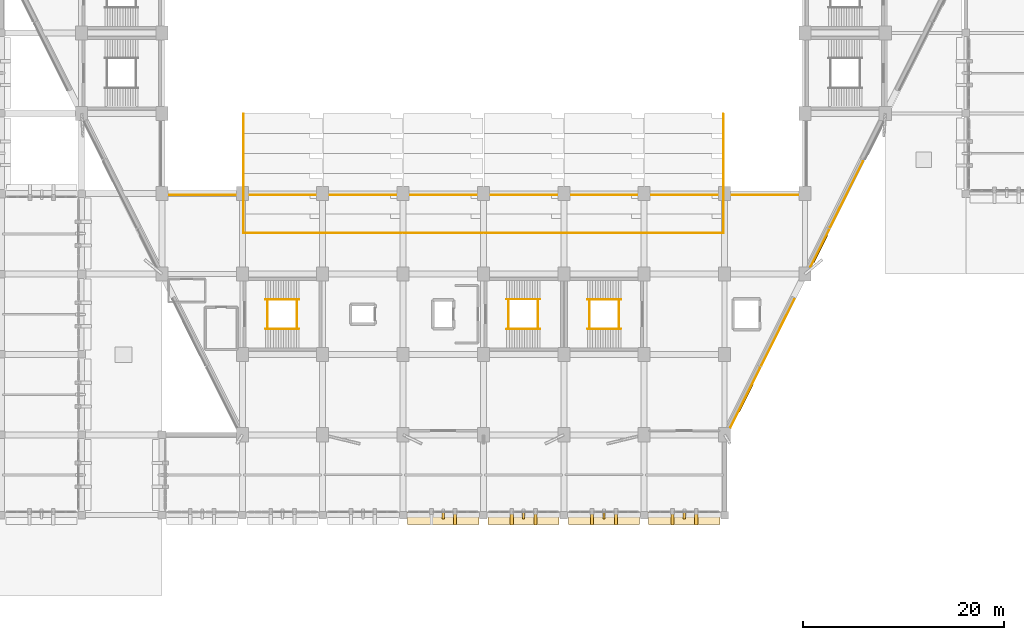
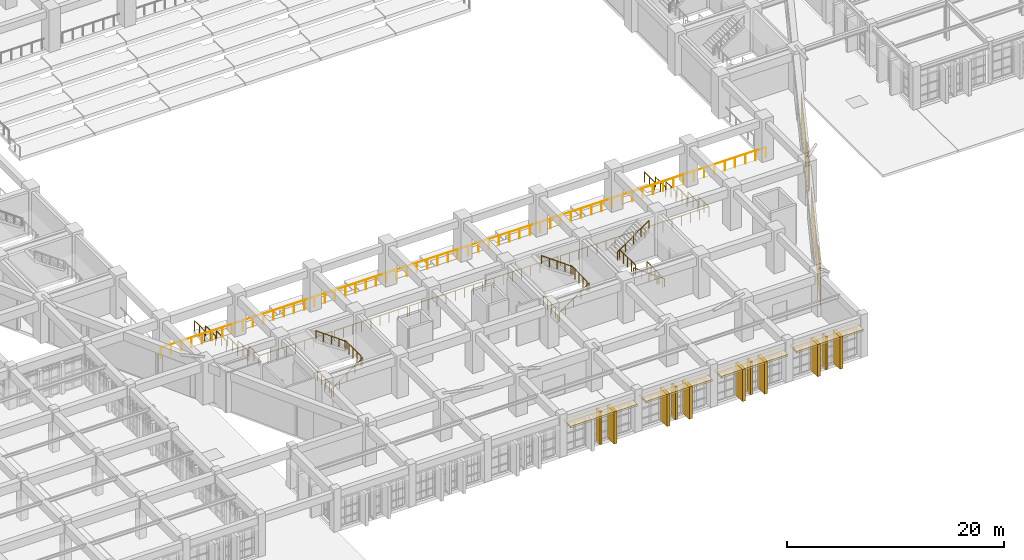
# One storey, part 149 of 155: 31 railings, 15 coverings, 6 shading devices.
"""IFC4 building model written with IfcOpenShell, lengths in metres."""

import ifcopenshell
import ifcopenshell.guid

model = None  # the IFC model being written
_history = None  # IfcOwnerHistory: only IFC2X3 demands one
_inside = {}  # id of a spatial element -> (the spatial element, [elements in it])
_under = {}  # id of a project, library or spatial element -> (it, [spatial elements below it])
_declared = {}  # id of a project -> (the project, [libraries it declares])
_typed = {}  # id of a type object -> (the type object, [elements of that type])
_made_of = {}  # id of a material, layer set ... -> (it, [elements and type objects made of it])


def new_model(schema):
    """Start an empty IFC model of exactly this schema.

    Asked for "IFC4X3", IfcOpenShell would pick the latest addendum, in which some entities
    have other attributes; the version numbers below select the first issue.
    IFC2X3 requires an IfcOwnerHistory on every rooted entity: one is made here for all.
    """
    global model, _history
    if schema == "IFC4X3":
        model = ifcopenshell.file(schema_version=(4, 3, 0, 0))
    else:
        model = ifcopenshell.file(schema=schema)
    _inside.clear()
    _under.clear()
    _declared.clear()
    _typed.clear()
    _made_of.clear()
    _history = None
    if model.schema == "IFC2X3":
        org = make("IfcOrganization", Name="unknown")
        user = make(
            "IfcPersonAndOrganization",
            ThePerson=make("IfcPerson", FamilyName="unknown"),
            TheOrganization=org,
        )
        app = make(
            "IfcApplication",
            ApplicationDeveloper=org,
            Version="unknown",
            ApplicationFullName="unknown",
            ApplicationIdentifier="unknown",
        )
        _history = make(
            "IfcOwnerHistory",
            OwningUser=user,
            OwningApplication=app,
            ChangeAction="ADDED",
            CreationDate=0,
        )
    return model


def make(cls, **values):
    """One entity of the class cls with the attributes given. An attribute that is None is left unset."""
    return model.create_entity(
        cls, **{name: value for name, value in values.items() if value is not None}
    )


def rooted(cls, **values):
    """An entity with a GlobalId (a new one), such as an element, a storey or a relation."""
    return make(cls, GlobalId=ifcopenshell.guid.new(), OwnerHistory=_history, **values)


def si_unit(unit_type, name, prefix=None):
    """IfcSIUnit, for example si_unit("LENGTHUNIT", "METRE", prefix="MILLI")."""
    return make("IfcSIUnit", UnitType=unit_type, Prefix=prefix, Name=name)


def assignment(units):
    """IfcUnitAssignment: the units of a project."""
    return None if units is None else make("IfcUnitAssignment", Units=units)


def point(xyz):
    """IfcCartesianPoint."""
    return None if xyz is None else make("IfcCartesianPoint", Coordinates=xyz)


def direction(xyz):
    """IfcDirection."""
    return None if xyz is None else make("IfcDirection", DirectionRatios=xyz)


def frame(location, z_axis=None, x_axis=None):
    """IfcAxis2Placement3D, a coordinate frame: its origin and axes. An axis left out is left unset."""
    return make(
        "IfcAxis2Placement3D",
        Location=point(location),
        Axis=direction(z_axis),
        RefDirection=direction(x_axis),
    )


def frame_2d(location, x_axis=None):
    """IfcAxis2Placement2D, a coordinate frame in the plane: its origin and x axis."""
    return make(
        "IfcAxis2Placement2D", Location=point(location), RefDirection=direction(x_axis)
    )


def origin():
    """The frame at (0, 0, 0) with its axes left unset."""
    return frame((0.0, 0.0, 0.0))


def origin_2d():
    """The frame at (0, 0) in the plane with its x axis left unset."""
    return frame_2d((0.0, 0.0))


def place(relative_to, where):
    """IfcLocalPlacement: puts the frame where relative to a parent placement (None: the world)."""
    return make(
        "IfcLocalPlacement", PlacementRelTo=relative_to, RelativePlacement=where
    )


def context(
    kind, dimensions, precision=None, world=None, true_north=None, identifier=None
):
    """IfcGeometricRepresentationContext, for example the 3D "Model" context."""
    return make(
        "IfcGeometricRepresentationContext",
        ContextIdentifier=identifier,
        ContextType=kind,
        CoordinateSpaceDimension=dimensions,
        Precision=precision,
        WorldCoordinateSystem=world,
        TrueNorth=true_north,
    )


def subcontext(parent, identifier, kind, view, scale=None):
    """IfcGeometricRepresentationSubContext, for example "Body" below "Model"."""
    return make(
        "IfcGeometricRepresentationSubContext",
        ContextIdentifier=identifier,
        ContextType=kind,
        ParentContext=parent,
        TargetScale=scale,
        TargetView=view,
    )


def project(units=None, contexts=None):
    """IfcProject with its units and contexts."""
    return rooted(
        "IfcProject",
        Name="project",
        RepresentationContexts=contexts,
        UnitsInContext=assignment(units),
    )


def spatial(cls, under=None, at=None, **own):
    """A site, building, storey or space (cls), placed at a placement, below another one or the project."""
    s = rooted(cls, ObjectPlacement=at, **own)
    if under is not None:
        _under.setdefault(under.id(), (under, []))[1].append(s)
    return s


def polyline(points):
    """IfcPolyline through the points."""
    return make("IfcPolyline", Points=[point(p) for p in points])


def profile(cls, at=None, kind="AREA", **sizes):
    """A parametric profile (cls). Its sizes go by their IFC names, for example OverallWidth=200.0."""
    return make(cls, ProfileType=kind, Position=at, **sizes)


def rectangle(**sizes):
    """IfcRectangleProfileDef."""
    return profile("IfcRectangleProfileDef", **sizes)


def circle(**sizes):
    """IfcCircleProfileDef."""
    return profile("IfcCircleProfileDef", **sizes)


def outline(outer, holes=None, kind="AREA"):
    """IfcArbitraryClosedProfileDef: a profile drawn as a closed curve; with holes, ...WithVoids."""
    if holes is None:
        return make("IfcArbitraryClosedProfileDef", ProfileType=kind, OuterCurve=outer)
    return make(
        "IfcArbitraryProfileDefWithVoids",
        ProfileType=kind,
        OuterCurve=outer,
        InnerCurves=holes,
    )


def extrude(swept, where, along, depth):
    """IfcExtrudedAreaSolid: the profile swept, set in the frame where, extruded along a direction by depth."""
    return make(
        "IfcExtrudedAreaSolid",
        SweptArea=swept,
        Position=where,
        ExtrudedDirection=direction(along),
        Depth=depth,
    )


def shape(context_of_items, identifier, shape_type, items):
    """IfcShapeRepresentation: the items that make up one representation, for example the "Body"."""
    return make(
        "IfcShapeRepresentation",
        ContextOfItems=context_of_items,
        RepresentationIdentifier=identifier,
        RepresentationType=shape_type,
        Items=items,
    )


def material(Name=None, Category=None):
    """IfcMaterial."""
    return make("IfcMaterial", Name=Name, Category=Category)


def layer(
    of_material, thickness, ventilated=None, Name=None, Category=None, Priority=None
):
    """IfcMaterialLayer: one layer of a wall or slab, of a material (None: an air gap)."""
    return make(
        "IfcMaterialLayer",
        Material=of_material,
        LayerThickness=thickness,
        IsVentilated=ventilated,
        Name=Name,
        Category=Category,
        Priority=Priority,
    )


def layer_set(layers, Name=None):
    """IfcMaterialLayerSet."""
    return make("IfcMaterialLayerSet", MaterialLayers=layers, LayerSetName=Name)


def made_of(thing, what):
    """Note that an element or type object is made of a material, layer set ...; save() writes the relation."""
    if what is not None:
        _made_of.setdefault(what.id(), (what, []))[1].append(thing)
    return thing


def type_object(cls, material=None, **own):
    """A type object (cls), such as IfcWallType, which elements share."""
    return made_of(rooted(cls, **own), material)


def element(
    cls,
    number,
    at=None,
    inside=None,
    cuts=None,
    type_object=None,
    material=None,
    context=None,
    identifier="Body",
    shape_type=None,
    held_by="IfcProductDefinitionShape",
    body=None,
    shapes=None,
    **own,
):
    """One element of the class cls, such as IfcWall. Its Tag is "e" and its number.

    at: its placement. inside: the storey or other place that contains it. cuts: it is an
    opening in that element (IfcRelVoidsElement). A single representation is given by context,
    identifier, shape_type and body (its items); several are given by shapes. held_by: the class
    of the entity that holds the representations. save() writes the other relations.
    """
    e = rooted(cls, Tag="e%d" % number, ObjectPlacement=at, **own)
    if body is not None:
        shapes = [shape(context, identifier, shape_type, body)]
    if shapes is not None:
        e.Representation = make(held_by, Representations=shapes)
    if inside is not None:
        _inside.setdefault(inside.id(), (inside, []))[1].append(e)
    if cuts is not None:
        rooted(
            "IfcRelVoidsElement", RelatingBuildingElement=cuts, RelatedOpeningElement=e
        )
    if type_object is not None:
        _typed.setdefault(type_object.id(), (type_object, []))[1].append(e)
    return made_of(e, material)


def aggregate(whole, parts):
    """IfcRelAggregates: a whole, such as a stair, and the parts it consists of."""
    return rooted("IfcRelAggregates", RelatingObject=whole, RelatedObjects=parts)


def save(model, path):
    """Write the relations noted so far, then the file.

    IfcRelAggregates (storeys below a building ...), IfcRelContainedInSpatialStructure (elements
    in a storey), IfcRelDefinesByType, IfcRelAssociatesMaterial and IfcRelDeclares: one each for
    every whole, place, type object, material and project.
    """
    for whole, parts in _under.values():
        aggregate(whole, parts)
    for where, things in _inside.values():
        rooted(
            "IfcRelContainedInSpatialStructure",
            RelatedElements=things,
            RelatingStructure=where,
        )
    for kind, things in _typed.values():
        rooted("IfcRelDefinesByType", RelatedObjects=things, RelatingType=kind)
    for what, things in _made_of.values():
        rooted("IfcRelAssociatesMaterial", RelatedObjects=things, RelatingMaterial=what)
    for by, libraries in _declared.values():
        rooted("IfcRelDeclares", RelatingContext=by, RelatedDefinitions=libraries)
    model.write(path)


model = new_model("IFC4")

# Units and contexts
model_context = context("Model", 3, precision=1e-05, world=origin(), true_north=direction((0.0, 1.0)))
body_context = subcontext(model_context, "Body", "Model", "MODEL_VIEW")
ifc_project = project(units=[si_unit("LENGTHUNIT", "METRE"), si_unit("AREAUNIT", "SQUARE_METRE"), si_unit("VOLUMEUNIT", "CUBIC_METRE"), si_unit("PLANEANGLEUNIT", "RADIAN"), si_unit("MASSUNIT", "GRAM", prefix="KILO")], contexts=[model_context])

# Site, building, storey
site_placement = place(None, origin())
site = spatial("IfcSite", under=ifc_project, at=site_placement, CompositionType="ELEMENT")
building_placement = place(site_placement, origin())
building = spatial("IfcBuilding", under=site, at=building_placement, Name="Tazarka Park Arena", CompositionType="ELEMENT")
storey_placement = place(building_placement, frame((0.0, 0.0, 5.39990234375)))
storey = spatial("IfcBuildingStorey", under=building, at=storey_placement, Name="L01", CompositionType="ELEMENT", Elevation=5.39990234375)

# Coverings
ifc_material_1 = material(Name="Dark ribbed perforated bronze-charcoal aluminium mesh", Category="aluminium")
ifc_layer_1 = layer(ifc_material_1, 0.06005859375, Name="Dark ribbed perforated bronze-charcoal aluminium mesh")
ifc_layer_set_1 = layer_set([ifc_layer_1], Name="Dark ribbed perforated bronze-charcoal aluminium mesh")
covering_type_1 = type_object("IfcCoveringType", Name="CLD-01", PredefinedType="CLADDING", material=ifc_layer_set_1)
for number, where, z_axis, x_axis, name in (
    (1, (85.181640625, 7.669921875, 0.0), (0.0, 0.0, 1.0), (-1.0, 0.0, 0.0), "Brutalist Precast Brise-Soleil Blade L01-013-1"),
    (2, (93.181640625, 7.669921875, 0.0), (0.0, 0.0, 1.0), (-1.0, 0.0, 0.0), "Brutalist Precast Brise-Soleil Blade L01-016-1"),
    (3, (90.818359375, 7.669921875, 0.0), (0.0, 0.0, 1.0), (-1.0, 0.0, 0.0), "Brutalist Precast Brise-Soleil Blade L01-016-2"),
    (4, (101.181640625, 7.669921875, 0.0), (0.0, 0.0, 1.0), (-1.0, 0.0, 0.0), "Brutalist Precast Brise-Soleil Blade L01-019-1"),
    (5, (98.818359375, 7.669921875, 0.0), (0.0, 0.0, 1.0), (-1.0, 0.0, 0.0), "Brutalist Precast Brise-Soleil Blade L01-019-2"),
    (6, (109.181640625, 7.669921875, 0.0), (0.0, 0.0, 1.0), (-1.0, 0.0, 0.0), "Brutalist Precast Brise-Soleil Blade L01-022-1"),
    (7, (106.818359375, 7.669921875, 0.0), (0.0, 0.0, 1.0), (-1.0, 0.0, 0.0), "Brutalist Precast Brise-Soleil Blade L01-022-2"),
):
    element("IfcCovering", number, at=place(storey_placement, frame(where, z_axis=z_axis, x_axis=x_axis)), inside=storey, type_object=covering_type_1, Name=name, PredefinedType="CLADDING", context=body_context, shape_type="SweptSolid", body=[
        extrude(rectangle(XDim=0.320068359375, YDim=1.300048828125, at=origin_2d()), origin(), (0.0, 0.0, 1.0), 3.60009765625),
    ])
covering_1_placement = place(storey_placement, frame((124.152099609375, 39.924072265625, 0.0), z_axis=(0.0, 0.0, 1.0), x_axis=(-0.447290848419, -0.89438856037, 0.0)))
element("IfcCovering", 8, at=covering_1_placement, inside=storey, type_object=covering_type_1, Name="Ribbed Metal Mesh Cladding EW-L01-0160", PredefinedType="CLADDING", context=body_context, shape_type="SweptSolid", body=[
    extrude(rectangle(XDim=7.36669921875, YDim=0.06005859375, at=origin_2d()), origin(), (0.0, 0.0, 1.0), 3.449951171875),
])
covering_2_placement = place(storey_placement, frame((121.473876953125, 34.545166015625, 0.0), z_axis=(0.0, 0.0, 1.0), x_axis=(-0.447290848419, -0.89438856037, 0.0)))
element("IfcCovering", 9, at=covering_2_placement, inside=storey, type_object=covering_type_1, Name="Ribbed Metal Mesh Cladding EW-L01-0161", PredefinedType="CLADDING", context=body_context, shape_type="SweptSolid", body=[
    extrude(rectangle(XDim=4.05078125, YDim=0.06005859375, at=origin_2d()), origin(), (0.0, 0.0, 1.0), 3.449951171875),
])
covering_3_placement = place(storey_placement, frame((117.312744140625, 26.20068359375, 0.0), z_axis=(0.0, 0.0, 1.0), x_axis=(-0.447290848419, -0.89438856037, 0.0)))
element("IfcCovering", 10, at=covering_3_placement, inside=storey, type_object=covering_type_1, Name="Ribbed Metal Mesh Cladding EW-L01-0162", PredefinedType="CLADDING", context=body_context, shape_type="SweptSolid", body=[
    extrude(rectangle(XDim=7.366455078125, YDim=0.06005859375, at=origin_2d()), origin(), (0.0, 0.0, 1.0), 3.449951171875),
])
covering_4_placement = place(storey_placement, frame((114.063232421875, 19.67919921875, 0.0), z_axis=(0.0, 0.0, 1.0), x_axis=(-0.447290848419, -0.89438856037, 0.0)))
element("IfcCovering", 11, at=covering_4_placement, inside=storey, type_object=covering_type_1, Name="Ribbed Metal Mesh Cladding EW-L01-0163", PredefinedType="CLADDING", context=body_context, shape_type="SweptSolid", body=[
    extrude(rectangle(XDim=6.606201171875, YDim=0.06005859375, at=origin_2d()), origin(), (0.0, 0.0, 1.0), 3.449951171875),
])

# Railings
ifc_material_2 = material(Name="Brushed architectural stainless steel", Category="steel")
railing_type_1 = type_object("IfcRailingType", Name="HR-01", PredefinedType="HANDRAIL", material=ifc_material_2)
railing_1_placement = place(storey_placement, frame((66.31494140625, 26.550048828125, 0.0)))
element("IfcRailing", 12, at=railing_1_placement, inside=storey, type_object=railing_type_1, Name="Stair Handrail ST09-L01-F1", PredefinedType="HANDRAIL", context=body_context, shape_type="SweptSolid", body=[
    extrude(circle(Radius=0.02392578125, at=origin_2d()), frame((0.0, 0.0, 0.89599609375), z_axis=(0.809980229442, 0.0, 0.586457183359), x_axis=(0.0, 1.0, 0.0)), (0.0, 0.0, 1.0), 4.092529296875),
    extrude(circle(Radius=0.02099609375, at=origin_2d()), origin(), (0.0, 0.0, 1.0), 0.871826171875),
    extrude(circle(Radius=0.02099609375, at=origin_2d()), frame((0.82861328125, 0.0, 0.60009765625)), (0.0, 0.0, 1.0), 0.871826171875),
    extrude(circle(Radius=0.02099609375, at=origin_2d()), frame((1.657470703125, 0.0, 1.2001953125)), (0.0, 0.0, 1.0), 0.871826171875),
    extrude(circle(Radius=0.02099609375, at=origin_2d()), frame((2.486328125, 0.0, 1.800048828125)), (0.0, 0.0, 1.0), 0.871826171875),
    extrude(circle(Radius=0.02099609375, at=origin_2d()), frame((3.31494140625, 0.0, 2.400146484375)), (0.0, 0.0, 1.0), 0.871826171875),
])
railing_2_placement = place(storey_placement, frame((69.6298828125, 29.449951171875, 2.400146484375)))
element("IfcRailing", 13, at=railing_2_placement, inside=storey, type_object=railing_type_1, Name="Stair Handrail ST09-L01-F2", PredefinedType="HANDRAIL", context=body_context, shape_type="SweptSolid", body=[
    extrude(circle(Radius=0.02392578125, at=origin_2d()), frame((0.0, 0.0, 0.89599609375), z_axis=(-0.810008566192, 0.0, 0.586418044312), x_axis=(0.0, -1.0, 0.0)), (0.0, 0.0, 1.0), 4.092529296875),
    extrude(circle(Radius=0.02099609375, at=origin_2d()), origin(), (0.0, 0.0, 1.0), 0.871826171875),
    extrude(circle(Radius=0.02099609375, at=origin_2d()), frame((-0.82861328125, 0.0, 0.60009765625)), (0.0, 0.0, 1.0), 0.871826171875),
    extrude(circle(Radius=0.02099609375, at=origin_2d()), frame((-1.657470703125, 0.0, 1.199951171875)), (0.0, 0.0, 1.0), 0.871826171875),
    extrude(circle(Radius=0.02099609375, at=origin_2d()), frame((-2.486328125, 0.0, 1.7998046875)), (0.0, 0.0, 1.0), 0.871826171875),
    extrude(circle(Radius=0.02099609375, at=origin_2d()), frame((-3.31494140625, 0.0, 2.39990234375)), (0.0, 0.0, 1.0), 0.871826171875),
])
railing_3_placement = place(storey_placement, frame((101.68505859375, 26.550048828125, 0.0)))
element("IfcRailing", 14, at=railing_3_placement, inside=storey, type_object=railing_type_1, Name="Stair Handrail ST11-L01-F1", PredefinedType="HANDRAIL", context=body_context, shape_type="SweptSolid", body=[
    extrude(circle(Radius=0.02392578125, at=origin_2d()), frame((0.0, 0.0, 0.89599609375), z_axis=(-0.809980229442, 0.0, 0.586457183359), x_axis=(0.0, -1.0, 0.0)), (0.0, 0.0, 1.0), 4.092529296875),
    extrude(circle(Radius=0.02099609375, at=origin_2d()), origin(), (0.0, 0.0, 1.0), 0.871826171875),
    extrude(circle(Radius=0.02099609375, at=origin_2d()), frame((-0.82861328125, 0.0, 0.60009765625)), (0.0, 0.0, 1.0), 0.871826171875),
    extrude(circle(Radius=0.02099609375, at=origin_2d()), frame((-1.657470703125, 0.0, 1.2001953125)), (0.0, 0.0, 1.0), 0.871826171875),
    extrude(circle(Radius=0.02099609375, at=origin_2d()), frame((-2.486328125, 0.0, 1.800048828125)), (0.0, 0.0, 1.0), 0.871826171875),
    extrude(circle(Radius=0.02099609375, at=origin_2d()), frame((-3.31494140625, 0.0, 2.400146484375)), (0.0, 0.0, 1.0), 0.871826171875),
])
railing_4_placement = place(storey_placement, frame((98.3701171875, 29.449951171875, 2.400146484375)))
element("IfcRailing", 15, at=railing_4_placement, inside=storey, type_object=railing_type_1, Name="Stair Handrail ST11-L01-F2", PredefinedType="HANDRAIL", context=body_context, shape_type="SweptSolid", body=[
    extrude(circle(Radius=0.02392578125, at=origin_2d()), frame((0.0, 0.0, 0.89599609375), z_axis=(0.810008566192, 0.0, 0.586418044312), x_axis=(0.0, 1.0, 0.0)), (0.0, 0.0, 1.0), 4.092529296875),
    extrude(circle(Radius=0.02099609375, at=origin_2d()), origin(), (0.0, 0.0, 1.0), 0.871826171875),
    extrude(circle(Radius=0.02099609375, at=origin_2d()), frame((0.82861328125, 0.0, 0.60009765625)), (0.0, 0.0, 1.0), 0.871826171875),
    extrude(circle(Radius=0.02099609375, at=origin_2d()), frame((1.657470703125, 0.0, 1.199951171875)), (0.0, 0.0, 1.0), 0.871826171875),
    extrude(circle(Radius=0.02099609375, at=origin_2d()), frame((2.486328125, 0.0, 1.7998046875)), (0.0, 0.0, 1.0), 0.871826171875),
    extrude(circle(Radius=0.02099609375, at=origin_2d()), frame((3.31494140625, 0.0, 2.39990234375)), (0.0, 0.0, 1.0), 0.871826171875),
])
railing_5_placement = place(storey_placement, frame((90.31494140625, 26.510009765625, 0.0)))
element("IfcRailing", 16, at=railing_5_placement, inside=storey, type_object=railing_type_1, Name="Stair Handrail ST23-L01-F1", PredefinedType="HANDRAIL", context=body_context, shape_type="SweptSolid", body=[
    extrude(circle(Radius=0.02392578125, at=origin_2d()), frame((0.0, 0.0, 0.89599609375), z_axis=(0.809980229442, 0.0, 0.586457183359), x_axis=(0.0, 1.0, 0.0)), (0.0, 0.0, 1.0), 4.092529296875),
    extrude(circle(Radius=0.02099609375, at=origin_2d()), origin(), (0.0, 0.0, 1.0), 0.871826171875),
    extrude(circle(Radius=0.02099609375, at=origin_2d()), frame((0.82861328125, 0.0, 0.60009765625)), (0.0, 0.0, 1.0), 0.871826171875),
    extrude(circle(Radius=0.02099609375, at=origin_2d()), frame((1.657470703125, 0.0, 1.2001953125)), (0.0, 0.0, 1.0), 0.871826171875),
    extrude(circle(Radius=0.02099609375, at=origin_2d()), frame((2.486328125, 0.0, 1.800048828125)), (0.0, 0.0, 1.0), 0.871826171875),
    extrude(circle(Radius=0.02099609375, at=origin_2d()), frame((3.31494140625, 0.0, 2.400146484375)), (0.0, 0.0, 1.0), 0.871826171875),
])
railing_6_placement = place(storey_placement, frame((93.6298828125, 29.489990234375, 2.400146484375)))
element("IfcRailing", 17, at=railing_6_placement, inside=storey, type_object=railing_type_1, Name="Stair Handrail ST23-L01-F2", PredefinedType="HANDRAIL", context=body_context, shape_type="SweptSolid", body=[
    extrude(circle(Radius=0.02392578125, at=origin_2d()), frame((0.0, 0.0, 0.89599609375), z_axis=(-0.810008566192, 0.0, 0.586418044312), x_axis=(0.0, -1.0, 0.0)), (0.0, 0.0, 1.0), 4.092529296875),
    extrude(circle(Radius=0.02099609375, at=origin_2d()), origin(), (0.0, 0.0, 1.0), 0.871826171875),
    extrude(circle(Radius=0.02099609375, at=origin_2d()), frame((-0.82861328125, 0.0, 0.60009765625)), (0.0, 0.0, 1.0), 0.871826171875),
    extrude(circle(Radius=0.02099609375, at=origin_2d()), frame((-1.657470703125, 0.0, 1.199951171875)), (0.0, 0.0, 1.0), 0.871826171875),
    extrude(circle(Radius=0.02099609375, at=origin_2d()), frame((-2.486328125, 0.0, 1.7998046875)), (0.0, 0.0, 1.0), 0.871826171875),
    extrude(circle(Radius=0.02099609375, at=origin_2d()), frame((-3.31494140625, 0.0, 2.39990234375)), (0.0, 0.0, 1.0), 0.871826171875),
])
ifc_material_3 = material(Name="Galvanised powder-coated architectural steel", Category="steel")
railing_type_2 = type_object("IfcRailingType", Name="IGR-01", PredefinedType="GUARDRAIL", material=ifc_material_3)
for number, where, name in (
    (18, (66.514892578125, 26.550048828125, 0.0), "Stair Well Guardrail ST09-L01"),
    (19, (69.429931640625, 26.550048828125, 2.400146484375), "Landing Guardrail ST09-L01-M"),
    (20, (101.485107421875, 26.550048828125, 0.0), "Stair Well Guardrail ST11-L01"),
    (21, (98.570068359375, 26.550048828125, 2.400146484375), "Landing Guardrail ST11-L01-M"),
):
    element("IfcRailing", number, at=place(storey_placement, frame(where)), inside=storey, type_object=railing_type_2, Name=name, PredefinedType="GUARDRAIL", context=body_context, shape_type="SweptSolid", body=[
        extrude(circle(Radius=0.02392578125, at=origin_2d()), frame((0.0, 0.0, 1.1259765625), z_axis=(0.0, 1.0, 0.0), x_axis=(-1.0, 0.0, 0.0)), (0.0, 0.0, 1.0), 2.89990234375),
        extrude(circle(Radius=0.02099609375, at=origin_2d()), origin(), (0.0, 0.0, 1.0), 1.101806640625),
        extrude(circle(Radius=0.02099609375, at=origin_2d()), frame((0.0, 0.72509765625, 0.0)), (0.0, 0.0, 1.0), 1.101806640625),
        extrude(circle(Radius=0.02099609375, at=origin_2d()), frame((0.0, 1.449951171875, 0.0)), (0.0, 0.0, 1.0), 1.101806640625),
        extrude(circle(Radius=0.02099609375, at=origin_2d()), frame((0.0, 2.1748046875, 0.0)), (0.0, 0.0, 1.0), 1.101806640625),
        extrude(circle(Radius=0.02099609375, at=origin_2d()), frame((0.0, 2.89990234375, 0.0)), (0.0, 0.0, 1.0), 1.101806640625),
    ])
for number, where, name in (
    (22, (90.514892578125, 26.510009765625, 0.0), "Stair Well Guardrail ST23-L01"),
    (23, (93.429931640625, 26.510009765625, 2.400146484375), "Landing Guardrail ST23-L01-M"),
):
    element("IfcRailing", number, at=place(storey_placement, frame(where)), inside=storey, type_object=railing_type_2, Name=name, PredefinedType="GUARDRAIL", context=body_context, shape_type="SweptSolid", body=[
        extrude(circle(Radius=0.02392578125, at=origin_2d()), frame((0.0, 0.0, 1.1259765625), z_axis=(0.0, 1.0, 0.0), x_axis=(-1.0, 0.0, 0.0)), (0.0, 0.0, 1.0), 2.97998046875),
        extrude(circle(Radius=0.02099609375, at=origin_2d()), origin(), (0.0, 0.0, 1.0), 1.101806640625),
        extrude(circle(Radius=0.02099609375, at=origin_2d()), frame((0.0, 0.7451171875, 0.0)), (0.0, 0.0, 1.0), 1.101806640625),
        extrude(circle(Radius=0.02099609375, at=origin_2d()), frame((0.0, 1.489990234375, 0.0)), (0.0, 0.0, 1.0), 1.101806640625),
        extrude(circle(Radius=0.02099609375, at=origin_2d()), frame((0.0, 2.23486328125, 0.0)), (0.0, 0.0, 1.0), 1.101806640625),
        extrude(circle(Radius=0.02099609375, at=origin_2d()), frame((0.0, 2.97998046875, 0.0)), (0.0, 0.0, 1.0), 1.101806640625),
    ])
railing_7_placement = place(storey_placement, frame((55.8798828125, 39.8798828125, 0.0)))
element("IfcRailing", 24, at=railing_7_placement, inside=storey, type_object=railing_type_2, Name="Interior Barrier Guardrail IGR-01-003", PredefinedType="GUARDRAIL", context=body_context, shape_type="SweptSolid", body=[
    extrude(circle(Radius=0.02392578125, at=origin_2d()), frame((0.0, 0.0, 1.1259765625), z_axis=(1.0, 0.0, 0.0), x_axis=(0.0, 1.0, 0.0)), (0.0, 0.0, 1.0), 64.240234375),
    extrude(circle(Radius=0.02099609375, at=origin_2d()), origin(), (0.0, 0.0, 1.0), 1.101806640625),
    extrude(circle(Radius=0.02099609375, at=origin_2d()), frame((1.0888671875, 0.0, 0.0)), (0.0, 0.0, 1.0), 1.101806640625),
    extrude(circle(Radius=0.02099609375, at=origin_2d()), frame((2.177734375, 0.0, 0.0)), (0.0, 0.0, 1.0), 1.101806640625),
    extrude(circle(Radius=0.02099609375, at=origin_2d()), frame((3.266357421875, 0.0, 0.0)), (0.0, 0.0, 1.0), 1.101806640625),
    extrude(circle(Radius=0.02099609375, at=origin_2d()), frame((4.355224609375, 0.0, 0.0)), (0.0, 0.0, 1.0), 1.101806640625),
    extrude(circle(Radius=0.02099609375, at=origin_2d()), frame((5.444091796875, 0.0, 0.0)), (0.0, 0.0, 1.0), 1.101806640625),
    extrude(circle(Radius=0.02099609375, at=origin_2d()), frame((6.532958984375, 0.0, 0.0)), (0.0, 0.0, 1.0), 1.101806640625),
    extrude(circle(Radius=0.02099609375, at=origin_2d()), frame((7.621826171875, 0.0, 0.0)), (0.0, 0.0, 1.0), 1.101806640625),
    extrude(circle(Radius=0.02099609375, at=origin_2d()), frame((8.71044921875, 0.0, 0.0)), (0.0, 0.0, 1.0), 1.101806640625),
    extrude(circle(Radius=0.02099609375, at=origin_2d()), frame((9.79931640625, 0.0, 0.0)), (0.0, 0.0, 1.0), 1.101806640625),
    extrude(circle(Radius=0.02099609375, at=origin_2d()), frame((10.88818359375, 0.0, 0.0)), (0.0, 0.0, 1.0), 1.101806640625),
    extrude(circle(Radius=0.02099609375, at=origin_2d()), frame((11.97705078125, 0.0, 0.0)), (0.0, 0.0, 1.0), 1.101806640625),
    extrude(circle(Radius=0.02099609375, at=origin_2d()), frame((13.06591796875, 0.0, 0.0)), (0.0, 0.0, 1.0), 1.101806640625),
    extrude(circle(Radius=0.02099609375, at=origin_2d()), frame((14.154541015625, 0.0, 0.0)), (0.0, 0.0, 1.0), 1.101806640625),
    extrude(circle(Radius=0.02099609375, at=origin_2d()), frame((15.243408203125, 0.0, 0.0)), (0.0, 0.0, 1.0), 1.101806640625),
    extrude(circle(Radius=0.02099609375, at=origin_2d()), frame((16.332275390625, 0.0, 0.0)), (0.0, 0.0, 1.0), 1.101806640625),
    extrude(circle(Radius=0.02099609375, at=origin_2d()), frame((17.421142578125, 0.0, 0.0)), (0.0, 0.0, 1.0), 1.101806640625),
    extrude(circle(Radius=0.02099609375, at=origin_2d()), frame((18.510009765625, 0.0, 0.0)), (0.0, 0.0, 1.0), 1.101806640625),
    extrude(circle(Radius=0.02099609375, at=origin_2d()), frame((19.5986328125, 0.0, 0.0)), (0.0, 0.0, 1.0), 1.101806640625),
    extrude(circle(Radius=0.02099609375, at=origin_2d()), frame((20.6875, 0.0, 0.0)), (0.0, 0.0, 1.0), 1.101806640625),
    extrude(circle(Radius=0.02099609375, at=origin_2d()), frame((21.7763671875, 0.0, 0.0)), (0.0, 0.0, 1.0), 1.101806640625),
    extrude(circle(Radius=0.02099609375, at=origin_2d()), frame((22.865234375, 0.0, 0.0)), (0.0, 0.0, 1.0), 1.101806640625),
    extrude(circle(Radius=0.02099609375, at=origin_2d()), frame((23.9541015625, 0.0, 0.0)), (0.0, 0.0, 1.0), 1.101806640625),
    extrude(circle(Radius=0.02099609375, at=origin_2d()), frame((25.042724609375, 0.0, 0.0)), (0.0, 0.0, 1.0), 1.101806640625),
    extrude(circle(Radius=0.02099609375, at=origin_2d()), frame((26.131591796875, 0.0, 0.0)), (0.0, 0.0, 1.0), 1.101806640625),
    extrude(circle(Radius=0.02099609375, at=origin_2d()), frame((27.220458984375, 0.0, 0.0)), (0.0, 0.0, 1.0), 1.101806640625),
    extrude(circle(Radius=0.02099609375, at=origin_2d()), frame((28.309326171875, 0.0, 0.0)), (0.0, 0.0, 1.0), 1.101806640625),
    extrude(circle(Radius=0.02099609375, at=origin_2d()), frame((29.398193359375, 0.0, 0.0)), (0.0, 0.0, 1.0), 1.101806640625),
    extrude(circle(Radius=0.02099609375, at=origin_2d()), frame((30.48681640625, 0.0, 0.0)), (0.0, 0.0, 1.0), 1.101806640625),
    extrude(circle(Radius=0.02099609375, at=origin_2d()), frame((31.57568359375, 0.0, 0.0)), (0.0, 0.0, 1.0), 1.101806640625),
    extrude(circle(Radius=0.02099609375, at=origin_2d()), frame((32.66455078125, 0.0, 0.0)), (0.0, 0.0, 1.0), 1.101806640625),
    extrude(circle(Radius=0.02099609375, at=origin_2d()), frame((33.75341796875, 0.0, 0.0)), (0.0, 0.0, 1.0), 1.101806640625),
    extrude(circle(Radius=0.02099609375, at=origin_2d()), frame((34.842041015625, 0.0, 0.0)), (0.0, 0.0, 1.0), 1.101806640625),
    extrude(circle(Radius=0.02099609375, at=origin_2d()), frame((35.930908203125, 0.0, 0.0)), (0.0, 0.0, 1.0), 1.101806640625),
    extrude(circle(Radius=0.02099609375, at=origin_2d()), frame((37.019775390625, 0.0, 0.0)), (0.0, 0.0, 1.0), 1.101806640625),
    extrude(circle(Radius=0.02099609375, at=origin_2d()), frame((38.108642578125, 0.0, 0.0)), (0.0, 0.0, 1.0), 1.101806640625),
    extrude(circle(Radius=0.02099609375, at=origin_2d()), frame((39.197509765625, 0.0, 0.0)), (0.0, 0.0, 1.0), 1.101806640625),
    extrude(circle(Radius=0.02099609375, at=origin_2d()), frame((40.2861328125, 0.0, 0.0)), (0.0, 0.0, 1.0), 1.101806640625),
    extrude(circle(Radius=0.02099609375, at=origin_2d()), frame((41.375, 0.0, 0.0)), (0.0, 0.0, 1.0), 1.101806640625),
    extrude(circle(Radius=0.02099609375, at=origin_2d()), frame((42.4638671875, 0.0, 0.0)), (0.0, 0.0, 1.0), 1.101806640625),
    extrude(circle(Radius=0.02099609375, at=origin_2d()), frame((43.552734375, 0.0, 0.0)), (0.0, 0.0, 1.0), 1.101806640625),
    extrude(circle(Radius=0.02099609375, at=origin_2d()), frame((44.6416015625, 0.0, 0.0)), (0.0, 0.0, 1.0), 1.101806640625),
    extrude(circle(Radius=0.02099609375, at=origin_2d()), frame((45.730224609375, 0.0, 0.0)), (0.0, 0.0, 1.0), 1.101806640625),
    extrude(circle(Radius=0.02099609375, at=origin_2d()), frame((46.819091796875, 0.0, 0.0)), (0.0, 0.0, 1.0), 1.101806640625),
    extrude(circle(Radius=0.02099609375, at=origin_2d()), frame((47.907958984375, 0.0, 0.0)), (0.0, 0.0, 1.0), 1.101806640625),
    extrude(circle(Radius=0.02099609375, at=origin_2d()), frame((48.996826171875, 0.0, 0.0)), (0.0, 0.0, 1.0), 1.101806640625),
    extrude(circle(Radius=0.02099609375, at=origin_2d()), frame((50.085693359375, 0.0, 0.0)), (0.0, 0.0, 1.0), 1.101806640625),
    extrude(circle(Radius=0.02099609375, at=origin_2d()), frame((51.17431640625, 0.0, 0.0)), (0.0, 0.0, 1.0), 1.101806640625),
    extrude(circle(Radius=0.02099609375, at=origin_2d()), frame((52.26318359375, 0.0, 0.0)), (0.0, 0.0, 1.0), 1.101806640625),
    extrude(circle(Radius=0.02099609375, at=origin_2d()), frame((53.35205078125, 0.0, 0.0)), (0.0, 0.0, 1.0), 1.101806640625),
    extrude(circle(Radius=0.02099609375, at=origin_2d()), frame((54.44091796875, 0.0, 0.0)), (0.0, 0.0, 1.0), 1.101806640625),
    extrude(circle(Radius=0.02099609375, at=origin_2d()), frame((55.52978515625, 0.0, 0.0)), (0.0, 0.0, 1.0), 1.101806640625),
    extrude(circle(Radius=0.02099609375, at=origin_2d()), frame((56.618408203125, 0.0, 0.0)), (0.0, 0.0, 1.0), 1.101806640625),
    extrude(circle(Radius=0.02099609375, at=origin_2d()), frame((57.707275390625, 0.0, 0.0)), (0.0, 0.0, 1.0), 1.101806640625),
    extrude(circle(Radius=0.02099609375, at=origin_2d()), frame((58.796142578125, 0.0, 0.0)), (0.0, 0.0, 1.0), 1.101806640625),
    extrude(circle(Radius=0.02099609375, at=origin_2d()), frame((59.885009765625, 0.0, 0.0)), (0.0, 0.0, 1.0), 1.101806640625),
    extrude(circle(Radius=0.02099609375, at=origin_2d()), frame((60.973876953125, 0.0, 0.0)), (0.0, 0.0, 1.0), 1.101806640625),
    extrude(circle(Radius=0.02099609375, at=origin_2d()), frame((62.0625, 0.0, 0.0)), (0.0, 0.0, 1.0), 1.101806640625),
    extrude(circle(Radius=0.02099609375, at=origin_2d()), frame((63.1513671875, 0.0, 0.0)), (0.0, 0.0, 1.0), 1.101806640625),
    extrude(circle(Radius=0.02099609375, at=origin_2d()), frame((64.240234375, 0.0, 0.0)), (0.0, 0.0, 1.0), 1.101806640625),
])
for number, where, name in (
    (25, (64.1201171875, 46.080078125, -4.75), "Interior Barrier Guardrail IGR-01-031"),
    (26, (111.8798828125, 46.080078125, -4.75), "Interior Barrier Guardrail IGR-01-032"),
    (27, (64.1201171875, 44.080078125, -4.099853515625), "Interior Barrier Guardrail IGR-01-033"),
    (28, (111.8798828125, 44.080078125, -4.099853515625), "Interior Barrier Guardrail IGR-01-034"),
    (29, (64.1201171875, 42.080078125, -3.449951171875), "Interior Barrier Guardrail IGR-01-035"),
    (30, (111.8798828125, 42.080078125, -3.449951171875), "Interior Barrier Guardrail IGR-01-036"),
    (31, (64.1201171875, 40.080078125, -2.7998046875), "Interior Barrier Guardrail IGR-01-037"),
    (32, (111.8798828125, 40.080078125, -2.7998046875), "Interior Barrier Guardrail IGR-01-038"),
    (33, (64.1201171875, 38.080078125, -2.14990234375), "Interior Barrier Guardrail IGR-01-039"),
    (34, (111.8798828125, 38.080078125, -2.14990234375), "Interior Barrier Guardrail IGR-01-040"),
    (35, (64.1201171875, 36.080078125, -1.5), "Interior Barrier Guardrail IGR-01-041"),
):
    element("IfcRailing", number, at=place(storey_placement, frame(where)), inside=storey, type_object=railing_type_2, Name=name, PredefinedType="GUARDRAIL", context=body_context, shape_type="SweptSolid", body=[
        extrude(circle(Radius=0.02392578125, at=origin_2d()), frame((0.0, 0.0, 1.1259765625), z_axis=(0.0, 1.0, 0.0), x_axis=(-1.0, 0.0, 0.0)), (0.0, 0.0, 1.0), 1.83984375),
        extrude(circle(Radius=0.02099609375, at=origin_2d()), origin(), (0.0, 0.0, 1.0), 1.101806640625),
        extrude(circle(Radius=0.02099609375, at=origin_2d()), frame((0.0, 0.919921875, 0.0)), (0.0, 0.0, 1.0), 1.101806640625),
        extrude(circle(Radius=0.02099609375, at=origin_2d()), frame((0.0, 1.83984375, 0.0)), (0.0, 0.0, 1.0), 1.101806640625),
    ])
for number, where, name in (
    (36, (64.1201171875, 36.10009765625, -1.5), "Interior Barrier Guardrail IGR-01-042"),
    (37, (72.1201171875, 36.10009765625, -1.5), "Interior Barrier Guardrail IGR-01-043"),
    (38, (80.1201171875, 36.10009765625, -1.5), "Interior Barrier Guardrail IGR-01-044"),
    (39, (88.1201171875, 36.10009765625, -1.5), "Interior Barrier Guardrail IGR-01-045"),
    (40, (96.1201171875, 36.10009765625, -1.5), "Interior Barrier Guardrail IGR-01-046"),
):
    element("IfcRailing", number, at=place(storey_placement, frame(where)), inside=storey, type_object=railing_type_2, Name=name, PredefinedType="GUARDRAIL", context=body_context, shape_type="SweptSolid", body=[
        extrude(circle(Radius=0.02392578125, at=origin_2d()), frame((0.0, 0.0, 1.1259765625), z_axis=(1.0, 0.0, 0.0), x_axis=(0.0, 1.0, 0.0)), (0.0, 0.0, 1.0), 7.759765625),
        extrude(circle(Radius=0.02099609375, at=origin_2d()), origin(), (0.0, 0.0, 1.0), 1.101806640625),
        extrude(circle(Radius=0.02099609375, at=origin_2d()), frame((0.969970703125, 0.0, 0.0)), (0.0, 0.0, 1.0), 1.101806640625),
        extrude(circle(Radius=0.02099609375, at=origin_2d()), frame((1.93994140625, 0.0, 0.0)), (0.0, 0.0, 1.0), 1.101806640625),
        extrude(circle(Radius=0.02099609375, at=origin_2d()), frame((2.909912109375, 0.0, 0.0)), (0.0, 0.0, 1.0), 1.101806640625),
        extrude(circle(Radius=0.02099609375, at=origin_2d()), frame((3.8798828125, 0.0, 0.0)), (0.0, 0.0, 1.0), 1.101806640625),
        extrude(circle(Radius=0.02099609375, at=origin_2d()), frame((4.849853515625, 0.0, 0.0)), (0.0, 0.0, 1.0), 1.101806640625),
        extrude(circle(Radius=0.02099609375, at=origin_2d()), frame((5.81982421875, 0.0, 0.0)), (0.0, 0.0, 1.0), 1.101806640625),
        extrude(circle(Radius=0.02099609375, at=origin_2d()), frame((6.789794921875, 0.0, 0.0)), (0.0, 0.0, 1.0), 1.101806640625),
        extrude(circle(Radius=0.02099609375, at=origin_2d()), frame((7.759765625, 0.0, 0.0)), (0.0, 0.0, 1.0), 1.101806640625),
    ])
railing_8_placement = place(storey_placement, frame((111.8798828125, 36.080078125, -1.5)))
element("IfcRailing", 41, at=railing_8_placement, inside=storey, type_object=railing_type_2, Name="Interior Barrier Guardrail IGR-01-047", PredefinedType="GUARDRAIL", context=body_context, shape_type="SweptSolid", body=[
    extrude(circle(Radius=0.02392578125, at=origin_2d()), frame((0.0, 0.0, 1.1259765625), z_axis=(0.0, 1.0, 0.0), x_axis=(-1.0, 0.0, 0.0)), (0.0, 0.0, 1.0), 1.83984375),
    extrude(circle(Radius=0.02099609375, at=origin_2d()), origin(), (0.0, 0.0, 1.0), 1.101806640625),
    extrude(circle(Radius=0.02099609375, at=origin_2d()), frame((0.0, 0.919921875, 0.0)), (0.0, 0.0, 1.0), 1.101806640625),
    extrude(circle(Radius=0.02099609375, at=origin_2d()), frame((0.0, 1.83984375, 0.0)), (0.0, 0.0, 1.0), 1.101806640625),
])
railing_9_placement = place(storey_placement, frame((104.1201171875, 36.10009765625, -1.5)))
element("IfcRailing", 42, at=railing_9_placement, inside=storey, type_object=railing_type_2, Name="Interior Barrier Guardrail IGR-01-048", PredefinedType="GUARDRAIL", context=body_context, shape_type="SweptSolid", body=[
    extrude(circle(Radius=0.02392578125, at=origin_2d()), frame((0.0, 0.0, 1.1259765625), z_axis=(1.0, 0.0, 0.0), x_axis=(0.0, 1.0, 0.0)), (0.0, 0.0, 1.0), 7.759765625),
    extrude(circle(Radius=0.02099609375, at=origin_2d()), origin(), (0.0, 0.0, 1.0), 1.101806640625),
    extrude(circle(Radius=0.02099609375, at=origin_2d()), frame((0.969970703125, 0.0, 0.0)), (0.0, 0.0, 1.0), 1.101806640625),
    extrude(circle(Radius=0.02099609375, at=origin_2d()), frame((1.93994140625, 0.0, 0.0)), (0.0, 0.0, 1.0), 1.101806640625),
    extrude(circle(Radius=0.02099609375, at=origin_2d()), frame((2.909912109375, 0.0, 0.0)), (0.0, 0.0, 1.0), 1.101806640625),
    extrude(circle(Radius=0.02099609375, at=origin_2d()), frame((3.8798828125, 0.0, 0.0)), (0.0, 0.0, 1.0), 1.101806640625),
    extrude(circle(Radius=0.02099609375, at=origin_2d()), frame((4.849853515625, 0.0, 0.0)), (0.0, 0.0, 1.0), 1.101806640625),
    extrude(circle(Radius=0.02099609375, at=origin_2d()), frame((5.81982421875, 0.0, 0.0)), (0.0, 0.0, 1.0), 1.101806640625),
    extrude(circle(Radius=0.02099609375, at=origin_2d()), frame((6.789794921875, 0.0, 0.0)), (0.0, 0.0, 1.0), 1.101806640625),
    extrude(circle(Radius=0.02099609375, at=origin_2d()), frame((7.759765625, 0.0, 0.0)), (0.0, 0.0, 1.0), 1.101806640625),
])

# Coverings
ifc_material_4 = material(Name="Standing-seam acoustic aluminium roofing membrane", Category="aluminium")
ifc_layer_2 = layer(ifc_material_4, 0.050048828125, Name="Standing-seam acoustic aluminium roofing membrane")
ifc_layer_set_2 = layer_set([ifc_layer_2], Name="Standing-seam acoustic aluminium roofing membrane")
covering_type_2 = type_object("IfcCoveringType", Name="RFG-01", PredefinedType="ROOFING", material=ifc_layer_set_2)
covering_5_placement = place(storey_placement, frame((0.0, 0.0, 3.360107421875)))
element("IfcCovering", 43, at=covering_5_placement, inside=storey, type_object=covering_type_2, Name="Brutalist Sun-Hood Overhang L01-013", PredefinedType="ROOFING", context=body_context, shape_type="SweptSolid", body=[
    extrude(outline(polyline([(87.544921875, 8.320068359375), (80.455078125, 8.320068359375), (80.455078125, 7.070068359375), (87.544921875, 7.070068359375), (87.544921875, 8.320068359375)])), origin(), (0.0, 0.0, 1.0), 0.219970703125),
])
covering_6_placement = place(storey_placement, frame((0.0, 0.0, 3.360107421875)))
element("IfcCovering", 44, at=covering_6_placement, inside=storey, type_object=covering_type_2, Name="Brutalist Sun-Hood Overhang L01-016", PredefinedType="ROOFING", context=body_context, shape_type="SweptSolid", body=[
    extrude(outline(polyline([(95.544921875, 8.320068359375), (88.455078125, 8.320068359375), (88.455078125, 7.070068359375), (95.544921875, 7.070068359375), (95.544921875, 8.320068359375)])), origin(), (0.0, 0.0, 1.0), 0.219970703125),
])
covering_7_placement = place(storey_placement, frame((0.0, 0.0, 3.360107421875)))
element("IfcCovering", 45, at=covering_7_placement, inside=storey, type_object=covering_type_2, Name="Brutalist Sun-Hood Overhang L01-019", PredefinedType="ROOFING", context=body_context, shape_type="SweptSolid", body=[
    extrude(outline(polyline([(103.544921875, 8.320068359375), (96.455078125, 8.320068359375), (96.455078125, 7.070068359375), (103.544921875, 7.070068359375), (103.544921875, 8.320068359375)])), origin(), (0.0, 0.0, 1.0), 0.219970703125),
])
covering_8_placement = place(storey_placement, frame((0.0, 0.0, 3.360107421875)))
element("IfcCovering", 46, at=covering_8_placement, inside=storey, type_object=covering_type_2, Name="Brutalist Sun-Hood Overhang L01-022", PredefinedType="ROOFING", context=body_context, shape_type="SweptSolid", body=[
    extrude(outline(polyline([(111.544921875, 8.320068359375), (104.455078125, 8.320068359375), (104.455078125, 7.070068359375), (111.544921875, 7.070068359375), (111.544921875, 8.320068359375)])), origin(), (0.0, 0.0, 1.0), 0.219970703125),
])

# Shading devices
ifc_material_5 = material(Name="Precast concrete C40/50", Category="concrete")
shading_device_type_1 = type_object("IfcShadingDeviceType", Name="SHD-01", PredefinedType="SHUTTER", material=ifc_material_5)
for number, where, z_axis, x_axis, name in (
    (47, (84.0, 7.97998046875, -0.0400390625), (0.0, 0.0, 1.0), (-1.0, 0.0, 0.0), "Brise-Soleil Fin BS-005"),
    (48, (92.0, 7.97998046875, -0.0400390625), (0.0, 0.0, 1.0), (-1.0, 0.0, 0.0), "Brise-Soleil Fin BS-006"),
    (49, (100.0, 7.97998046875, -0.0400390625), (0.0, 0.0, 1.0), (-1.0, 0.0, 0.0), "Brise-Soleil Fin BS-007"),
    (50, (108.0, 7.97998046875, -0.0400390625), (0.0, 0.0, 1.0), (-1.0, 0.0, 0.0), "Brise-Soleil Fin BS-008"),
):
    element("IfcShadingDevice", number, at=place(storey_placement, frame(where, z_axis=z_axis, x_axis=x_axis)), inside=storey, type_object=shading_device_type_1, Name=name, PredefinedType="SHUTTER", context=body_context, shape_type="SweptSolid", body=[
        extrude(rectangle(XDim=0.219970703125, YDim=0.719970703125, at=origin_2d()), origin(), (0.0, 0.0, 1.0), 3.679931640625),
    ])
ifc_material_6 = material(Name="Dark ribbed perforated bronze-charcoal aluminium mesh", Category="aluminium")
shading_device_type_2 = type_object("IfcShadingDeviceType", Name="SHD-02", PredefinedType="JALOUSIE", material=ifc_material_6)
for number, where, z_axis, x_axis, name in (
    (51, (121.527587890625, 34.518310546875, 0.0), (0.0, 0.0, 1.0), (-0.447290848419, -0.89438856037, 0.0), "Perforated Mesh Screen EW-L01-0161"),
    (52, (114.116943359375, 19.65234375, 0.0), (0.0, 0.0, 1.0), (-0.447290848419, -0.89438856037, 0.0), "Perforated Mesh Screen EW-L01-0163"),
):
    element("IfcShadingDevice", number, at=place(storey_placement, frame(where, z_axis=z_axis, x_axis=x_axis)), inside=storey, type_object=shading_device_type_2, Name=name, PredefinedType="JALOUSIE", context=body_context, shape_type="SweptSolid", body=[
        extrude(rectangle(XDim=3.0, YDim=0.139892578125, at=origin_2d()), origin(), (0.0, 0.0, 1.0), 3.449951171875),
    ])

save(model, "model.ifc")
